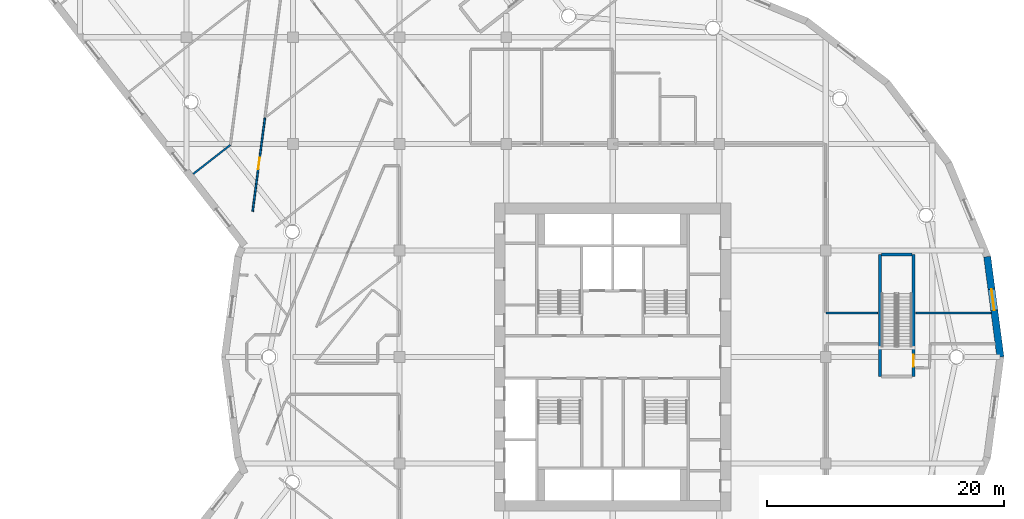
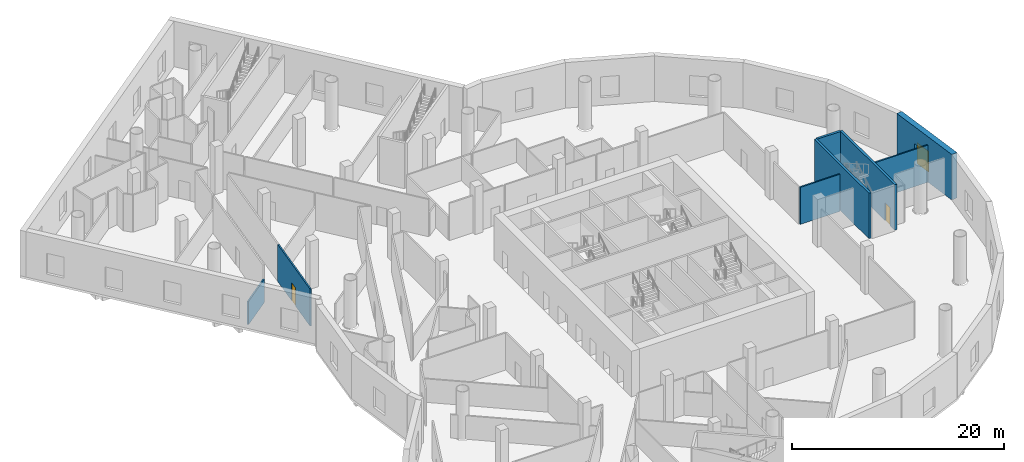
# One storey, part 8 of 23: 8 walls, 2 doors, 1 window, 3 openings.
"""IFC4 building model written with IfcOpenShell, lengths in metres."""

from ifc_helpers import new_model, si_unit, direction, frame, frame_2d, origin, place, context, subcontext, project, spatial, rectangle, extrude, material, layer, layer_set, type_object, element, fill, save


model = new_model("IFC4")

# Units and contexts
model_context = context("Model", 3, precision=1e-05, world=origin(), true_north=direction((0.0, 1.0)))
body_context = subcontext(model_context, "Body", "Model", "MODEL_VIEW")
ifc_project = project(units=[si_unit("LENGTHUNIT", "METRE"), si_unit("AREAUNIT", "SQUARE_METRE"), si_unit("VOLUMEUNIT", "CUBIC_METRE"), si_unit("PLANEANGLEUNIT", "RADIAN"), si_unit("MASSUNIT", "GRAM", prefix="KILO")], contexts=[model_context])

# Site, building, storey
site_placement = place(None, origin())
site = spatial("IfcSite", under=ifc_project, at=site_placement, CompositionType="ELEMENT")
building_placement = place(site_placement, origin())
building = spatial("IfcBuilding", under=site, at=building_placement, Name="Tarsis Ring Headquarters", CompositionType="ELEMENT")
storey_placement = place(building_placement, frame((0.0, 0.0, 14.0)))
storey = spatial("IfcBuildingStorey", under=building, at=storey_placement, Name="L02", CompositionType="ELEMENT", Elevation=14.0)

# Wall
ifc_material_1 = material(Name="Plasterboard partition")
ifc_layer_1 = layer(ifc_material_1, 0.14990234375)
ifc_layer_set_1 = layer_set([ifc_layer_1], Name="PO-PW150")
wall_type_1 = type_object("IfcWallType", Name="PO-PW150", PredefinedType="PARTITIONING", material=ifc_layer_set_1)
wall_1_placement = place(storey_placement, frame((-35.431884765625, 15.464111328125, 0.0), z_axis=(0.0, 0.0, 1.0), x_axis=(0.788005770559, 0.615667853283, 0.0)))
element("IfcWall", 1, at=wall_1_placement, inside=storey, type_object=wall_type_1, Name="L02 partition wall 92", PredefinedType="PARTITIONING", context=body_context, shape_type="SweptSolid", body=[
    extrude(rectangle(XDim=3.979248046875, YDim=0.14990234375, at=frame_2d((1.98974609375, 0.0))), origin(), (0.0, 0.0, 1.0), 2.699951171875),
])

# Wall, opening, door
ifc_layer_2 = layer(ifc_material_1, 0.14990234375)
ifc_layer_set_2 = layer_set([ifc_layer_2], Name="PO-PW150R-4283")
wall_type_2 = type_object("IfcWallType", Name="PO-PW150R-4283", PredefinedType="PARTITIONING", material=ifc_layer_set_2)
wall_2_placement = place(storey_placement, frame((-29.373779296875, 20.197265625, 0.0), z_axis=(0.0, 0.0, 1.0), x_axis=(-0.130289718136, -0.991475965088, 0.0)))
wall_2 = element("IfcWall", 2, at=wall_2_placement, inside=storey, type_object=wall_type_2, Name="L02 partition wall 44", PredefinedType="PARTITIONING", context=body_context, shape_type="SweptSolid", body=[
    extrude(rectangle(XDim=7.97119140625, YDim=0.14990234375, at=frame_2d((3.985595703125, 0.0))), origin(), (0.0, 0.0, 1.0), 4.282958984375),
])
opening_1_placement = place(wall_2_placement, frame((3.385986328125, 0.0, 0.0)))
opening_1 = element("IfcOpeningElement", 3, at=opening_1_placement, cuts=wall_2, Name="Opening PO-D1", PredefinedType="OPENING", context=body_context, shape_type="SweptSolid", body=[
    extrude(rectangle(XDim=1.0, YDim=2.10009765625, at=frame_2d((0.5, 1.050048828125))), frame((0.0, 0.0849609375, 0.0), z_axis=(0.0, -1.0, 0.0), x_axis=(1.0, 0.0, 0.0)), (0.0, 0.0, 1.0), 0.169921875),
])
ifc_material_2 = material(Name="Timber door", Category="wood")
door_type_1 = type_object("IfcDoorType", Name="PO-D1000", OperationType="NOTDEFINED", PredefinedType="DOOR", material=ifc_material_2)
door_1_placement = place(opening_1_placement, origin())
door_1 = element("IfcDoor", 4, at=door_1_placement, inside=storey, type_object=door_type_1, Name="Conference office door", OperationType="SINGLE_SWING_LEFT", OverallHeight=2.10009765625, OverallWidth=1.0, PredefinedType="DOOR", context=body_context, shape_type="SweptSolid", body=[
    extrude(rectangle(XDim=1.0, YDim=2.10009765625, at=frame_2d((0.5, 1.050048828125))), frame((0.0, 0.02490234375, 0.0), z_axis=(0.0, -1.0, 0.0), x_axis=(1.0, 0.0, 0.0)), (0.0, 0.0, 1.0), 0.050048828125),
])
fill(opening_1, door_1)

# Walls
wall_3_placement = place(storey_placement, frame((25.625, 3.7119140625, 0.0), z_axis=(0.0, 0.0, 1.0), x_axis=(1.0, 0.0, 0.0)))
element("IfcWall", 5, at=wall_3_placement, inside=storey, type_object=wall_type_2, Name="L02 partition wall 57", PredefinedType="PARTITIONING", context=body_context, shape_type="SweptSolid", body=[
    extrude(rectangle(XDim=6.341552734375, YDim=0.14990234375, at=frame_2d((3.1708984375, 0.0))), origin(), (0.0, 0.0, 1.0), 4.282958984375),
])
wall_4_placement = place(storey_placement, frame((18.0400390625, 3.7119140625, 0.0), z_axis=(0.0, 0.0, 1.0), x_axis=(1.0, 0.0, 0.0)))
element("IfcWall", 6, at=wall_4_placement, inside=storey, type_object=wall_type_2, Name="L02 partition wall 81", PredefinedType="PARTITIONING", context=body_context, shape_type="SweptSolid", body=[
    extrude(rectangle(XDim=4.3349609375, YDim=0.14990234375, at=frame_2d((2.16748046875, 0.0))), origin(), (0.0, 0.0, 1.0), 4.282958984375),
])
ifc_material_3 = material(Name="Concrete C40/50", Category="concrete")
ifc_layer_3 = layer(ifc_material_3, 0.25)
ifc_layer_set_3 = layer_set([ifc_layer_3], Name="PO-W250")
wall_type_3 = type_object("IfcWallType", Name="PO-W250", PredefinedType="SOLIDWALL", material=ifc_layer_set_3)
wall_5_placement = place(storey_placement, frame((22.60009765625, -1.64501953125, 0.0), z_axis=(0.0, 0.0, 1.0), x_axis=(0.0, 1.0, 0.0)))
element("IfcWall", 7, at=wall_5_placement, inside=storey, type_object=wall_type_3, Name="L02 shaft wall 29", PredefinedType="SOLIDWALL", context=body_context, shape_type="SweptSolid", body=[
    extrude(rectangle(XDim=10.2900390625, YDim=0.25, at=frame_2d((5.14501953125, 0.0))), origin(), (0.0, 0.0, 1.0), 5.25),
])

# Wall, opening, door
wall_6_placement = place(storey_placement, frame((25.39990234375, 8.64501953125, 0.0), z_axis=(0.0, 0.0, 1.0), x_axis=(0.0, -1.0, 0.0)))
wall_6 = element("IfcWall", 8, at=wall_6_placement, inside=storey, type_object=wall_type_3, Name="L02 shaft wall 30", PredefinedType="SOLIDWALL", context=body_context, shape_type="SweptSolid", body=[
    extrude(rectangle(XDim=10.2900390625, YDim=0.25, at=frame_2d((5.14501953125, 0.0))), origin(), (0.0, 0.0, 1.0), 5.25),
])
opening_2_placement = place(wall_6_placement, frame((8.465087890625, 0.0, 0.0)))
opening_2 = element("IfcOpeningElement", 9, at=opening_2_placement, cuts=wall_6, Name="Opening PO-D3", PredefinedType="OPENING", context=body_context, shape_type="SweptSolid", body=[
    extrude(rectangle(XDim=1.0, YDim=2.10009765625, at=frame_2d((0.5, 1.050048828125))), frame((0.0, 0.135009765625, 0.0), z_axis=(0.0, -1.0, 0.0), x_axis=(1.0, 0.0, 0.0)), (0.0, 0.0, 1.0), 0.27001953125),
])
ifc_material_4 = material(Name="Steel fire door", Category="steel")
door_type_2 = type_object("IfcDoorType", Name="PO-D1000F", OperationType="SINGLE_SWING_LEFT", PredefinedType="DOOR", material=ifc_material_4)
door_2_placement = place(opening_2_placement, origin())
door_2 = element("IfcDoor", 10, at=door_2_placement, inside=storey, type_object=door_type_2, Name="Exit stair 1 door", OperationType="SINGLE_SWING_LEFT", OverallHeight=2.10009765625, OverallWidth=1.0, PredefinedType="DOOR", context=body_context, shape_type="SweptSolid", body=[
    extrude(rectangle(XDim=1.0, YDim=2.10009765625, at=frame_2d((0.5, 1.050048828125))), frame((0.0, 0.02490234375, 0.0), z_axis=(0.0, -1.0, 0.0), x_axis=(1.0, 0.0, 0.0)), (0.0, 0.0, 1.0), 0.050048828125),
])
fill(opening_2, door_2)

# Wall
wall_7_placement = place(storey_placement, frame((22.72998046875, 8.64501953125, 0.0), z_axis=(0.0, 0.0, 1.0), x_axis=(1.0, 0.0, 0.0)))
element("IfcWall", 11, at=wall_7_placement, inside=storey, type_object=wall_type_3, Name="L02 shaft wall 104", PredefinedType="SOLIDWALL", context=body_context, shape_type="SweptSolid", body=[
    extrude(rectangle(XDim=2.5400390625, YDim=0.25, at=frame_2d((1.27001953125, 0.0))), origin(), (0.0, 0.0, 1.0), 5.25),
])

# Wall, opening, window
ifc_material_5 = material(Name="Concrete C60/75", Category="concrete")
ifc_layer_4 = layer(ifc_material_5, 0.60009765625)
ifc_layer_set_4 = layer_set([ifc_layer_4], Name="PO-W600")
wall_type_4 = type_object("IfcWallType", Name="PO-W600", PredefinedType="SOLIDWALL", material=ifc_layer_set_4)
wall_8_placement = place(storey_placement, frame((32.7578125, 0.0, 0.0), z_axis=(0.0, 0.0, 1.0), x_axis=(-0.130529102837, 0.991444478179, 0.0)))
wall_8 = element("IfcWall", 12, at=wall_8_placement, inside=storey, type_object=wall_type_4, Name="L02 external wall 16", PredefinedType="SOLIDWALL", context=body_context, shape_type="SweptSolid", body=[
    extrude(rectangle(XDim=8.551513671875, YDim=0.60009765625, at=frame_2d((4.27587890625, 0.0))), origin(), (0.0, 0.0, 1.0), 5.25),
])
opening_3_placement = place(wall_8_placement, frame((3.975830078125, 0.0, 0.89990234375)))
opening_3 = element("IfcOpeningElement", 13, at=opening_3_placement, cuts=wall_8, Name="Opening PO-WN1", PredefinedType="OPENING", context=body_context, shape_type="SweptSolid", body=[
    extrude(rectangle(XDim=1.800048828125, YDim=2.39990234375, at=frame_2d((0.89990234375, 1.199951171875))), frame((0.0, 0.31005859375, 0.0), z_axis=(0.0, -1.0, 0.0), x_axis=(1.0, 0.0, 0.0)), (0.0, 0.0, 1.0), 0.6201171875),
])
ifc_material_6 = material(Name="Double glazing", Category="glass")
window_type = type_object("IfcWindowType", Name="PO-WN1800", PartitioningType="SINGLE_PANEL", PredefinedType="WINDOW", material=ifc_material_6)
window_placement = place(opening_3_placement, origin())
window = element("IfcWindow", 14, at=window_placement, inside=storey, type_object=window_type, Name="L02 window 16.1", OverallHeight=2.39990234375, OverallWidth=1.800048828125, PartitioningType="SINGLE_PANEL", PredefinedType="WINDOW", context=body_context, shape_type="SweptSolid", body=[
    extrude(rectangle(XDim=1.800048828125, YDim=2.39990234375, at=frame_2d((0.89990234375, 1.199951171875))), frame((0.0, 0.030029296875, 0.0), z_axis=(0.0, -1.0, 0.0), x_axis=(1.0, 0.0, 0.0)), (0.0, 0.0, 1.0), 0.06005859375),
])
fill(opening_3, window)

save(model, "model.ifc")
